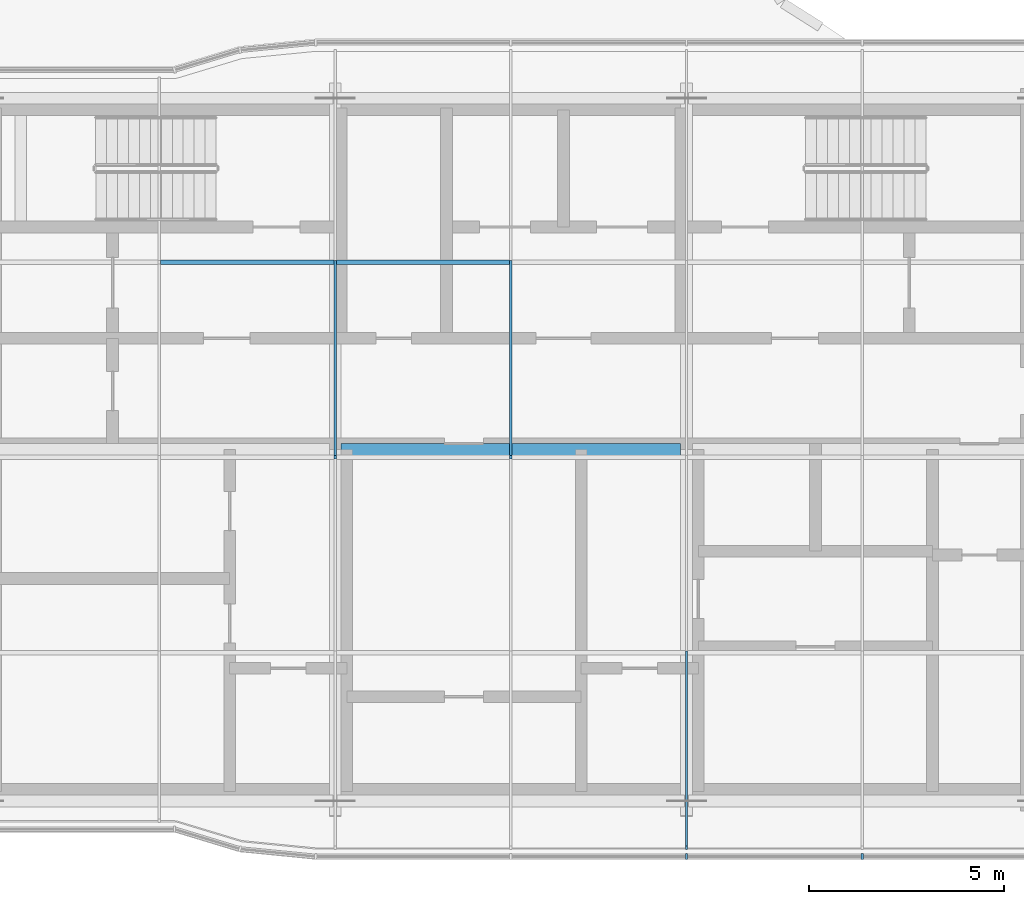
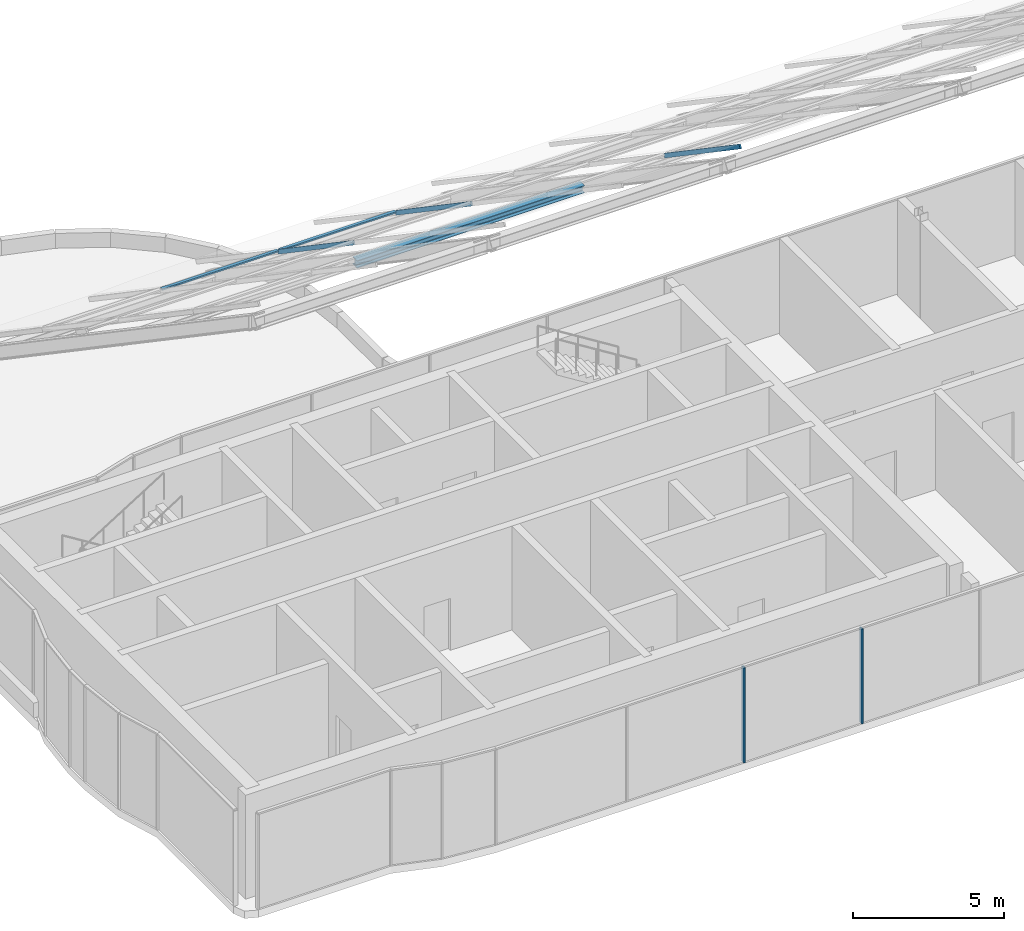
# One storey, part 4 of 25: 8 members, 3 elements without a shape of their own.
"""IFC4 building model written with IfcOpenShell, lengths in metres."""

import ifcopenshell
import ifcopenshell.guid

model = None  # the IFC model being written
_history = None  # IfcOwnerHistory: only IFC2X3 demands one
_inside = {}  # id of a spatial element -> (the spatial element, [elements in it])
_under = {}  # id of a project, library or spatial element -> (it, [spatial elements below it])
_declared = {}  # id of a project -> (the project, [libraries it declares])
_typed = {}  # id of a type object -> (the type object, [elements of that type])
_made_of = {}  # id of a material, layer set ... -> (it, [elements and type objects made of it])


def new_model(schema):
    """Start an empty IFC model of exactly this schema.

    Asked for "IFC4X3", IfcOpenShell would pick the latest addendum, in which some entities
    have other attributes; the version numbers below select the first issue.
    IFC2X3 requires an IfcOwnerHistory on every rooted entity: one is made here for all.
    """
    global model, _history
    if schema == "IFC4X3":
        model = ifcopenshell.file(schema_version=(4, 3, 0, 0))
    else:
        model = ifcopenshell.file(schema=schema)
    _inside.clear()
    _under.clear()
    _declared.clear()
    _typed.clear()
    _made_of.clear()
    _history = None
    if model.schema == "IFC2X3":
        org = make("IfcOrganization", Name="unknown")
        user = make(
            "IfcPersonAndOrganization",
            ThePerson=make("IfcPerson", FamilyName="unknown"),
            TheOrganization=org,
        )
        app = make(
            "IfcApplication",
            ApplicationDeveloper=org,
            Version="unknown",
            ApplicationFullName="unknown",
            ApplicationIdentifier="unknown",
        )
        _history = make(
            "IfcOwnerHistory",
            OwningUser=user,
            OwningApplication=app,
            ChangeAction="ADDED",
            CreationDate=0,
        )
    return model


def make(cls, **values):
    """One entity of the class cls with the attributes given. An attribute that is None is left unset."""
    return model.create_entity(
        cls, **{name: value for name, value in values.items() if value is not None}
    )


def rooted(cls, **values):
    """An entity with a GlobalId (a new one), such as an element, a storey or a relation."""
    return make(cls, GlobalId=ifcopenshell.guid.new(), OwnerHistory=_history, **values)


def si_unit(unit_type, name, prefix=None):
    """IfcSIUnit, for example si_unit("LENGTHUNIT", "METRE", prefix="MILLI")."""
    return make("IfcSIUnit", UnitType=unit_type, Prefix=prefix, Name=name)


def assignment(units):
    """IfcUnitAssignment: the units of a project."""
    return None if units is None else make("IfcUnitAssignment", Units=units)


def point(xyz):
    """IfcCartesianPoint."""
    return None if xyz is None else make("IfcCartesianPoint", Coordinates=xyz)


def direction(xyz):
    """IfcDirection."""
    return None if xyz is None else make("IfcDirection", DirectionRatios=xyz)


def frame(location, z_axis=None, x_axis=None):
    """IfcAxis2Placement3D, a coordinate frame: its origin and axes. An axis left out is left unset."""
    return make(
        "IfcAxis2Placement3D",
        Location=point(location),
        Axis=direction(z_axis),
        RefDirection=direction(x_axis),
    )


def frame_2d(location, x_axis=None):
    """IfcAxis2Placement2D, a coordinate frame in the plane: its origin and x axis."""
    return make(
        "IfcAxis2Placement2D", Location=point(location), RefDirection=direction(x_axis)
    )


def origin():
    """The frame at (0, 0, 0) with its axes left unset."""
    return frame((0.0, 0.0, 0.0))


def origin_2d():
    """The frame at (0, 0) in the plane with its x axis left unset."""
    return frame_2d((0.0, 0.0))


def place(relative_to, where):
    """IfcLocalPlacement: puts the frame where relative to a parent placement (None: the world)."""
    return make(
        "IfcLocalPlacement", PlacementRelTo=relative_to, RelativePlacement=where
    )


def context(
    kind, dimensions, precision=None, world=None, true_north=None, identifier=None
):
    """IfcGeometricRepresentationContext, for example the 3D "Model" context."""
    return make(
        "IfcGeometricRepresentationContext",
        ContextIdentifier=identifier,
        ContextType=kind,
        CoordinateSpaceDimension=dimensions,
        Precision=precision,
        WorldCoordinateSystem=world,
        TrueNorth=true_north,
    )


def subcontext(parent, identifier, kind, view, scale=None):
    """IfcGeometricRepresentationSubContext, for example "Body" below "Model"."""
    return make(
        "IfcGeometricRepresentationSubContext",
        ContextIdentifier=identifier,
        ContextType=kind,
        ParentContext=parent,
        TargetScale=scale,
        TargetView=view,
    )


def project(units=None, contexts=None):
    """IfcProject with its units and contexts."""
    return rooted(
        "IfcProject",
        Name="project",
        RepresentationContexts=contexts,
        UnitsInContext=assignment(units),
    )


def spatial(cls, under=None, at=None, **own):
    """A site, building, storey or space (cls), placed at a placement, below another one or the project."""
    s = rooted(cls, ObjectPlacement=at, **own)
    if under is not None:
        _under.setdefault(under.id(), (under, []))[1].append(s)
    return s


def profile(cls, at=None, kind="AREA", **sizes):
    """A parametric profile (cls). Its sizes go by their IFC names, for example OverallWidth=200.0."""
    return make(cls, ProfileType=kind, Position=at, **sizes)


def rectangle(**sizes):
    """IfcRectangleProfileDef."""
    return profile("IfcRectangleProfileDef", **sizes)


def i_section(**sizes):
    """IfcIShapeProfileDef."""
    return profile("IfcIShapeProfileDef", **sizes)


def extrude(swept, where, along, depth):
    """IfcExtrudedAreaSolid: the profile swept, set in the frame where, extruded along a direction by depth."""
    return make(
        "IfcExtrudedAreaSolid",
        SweptArea=swept,
        Position=where,
        ExtrudedDirection=direction(along),
        Depth=depth,
    )


def shape(context_of_items, identifier, shape_type, items):
    """IfcShapeRepresentation: the items that make up one representation, for example the "Body"."""
    return make(
        "IfcShapeRepresentation",
        ContextOfItems=context_of_items,
        RepresentationIdentifier=identifier,
        RepresentationType=shape_type,
        Items=items,
    )


def material(Name=None, Category=None):
    """IfcMaterial."""
    return make("IfcMaterial", Name=Name, Category=Category)


def material_profile(
    of_material, cross_section, Name=None, Category=None, Priority=None
):
    """IfcMaterialProfile: a cross section and its material."""
    return make(
        "IfcMaterialProfile",
        Name=Name,
        Material=of_material,
        Profile=cross_section,
        Priority=Priority,
        Category=Category,
    )


def profile_set(profiles, Name=None, composite=None):
    """IfcMaterialProfileSet."""
    return make(
        "IfcMaterialProfileSet",
        Name=Name,
        MaterialProfiles=profiles,
        CompositeProfile=composite,
    )


def made_of(thing, what):
    """Note that an element or type object is made of a material, layer set ...; save() writes the relation."""
    if what is not None:
        _made_of.setdefault(what.id(), (what, []))[1].append(thing)
    return thing


def type_object(cls, material=None, **own):
    """A type object (cls), such as IfcWallType, which elements share."""
    return made_of(rooted(cls, **own), material)


def element(
    cls,
    number,
    at=None,
    inside=None,
    cuts=None,
    type_object=None,
    material=None,
    context=None,
    identifier="Body",
    shape_type=None,
    held_by="IfcProductDefinitionShape",
    body=None,
    shapes=None,
    **own,
):
    """One element of the class cls, such as IfcWall. Its Tag is "e" and its number.

    at: its placement. inside: the storey or other place that contains it. cuts: it is an
    opening in that element (IfcRelVoidsElement). A single representation is given by context,
    identifier, shape_type and body (its items); several are given by shapes. held_by: the class
    of the entity that holds the representations. save() writes the other relations.
    """
    e = rooted(cls, Tag="e%d" % number, ObjectPlacement=at, **own)
    if body is not None:
        shapes = [shape(context, identifier, shape_type, body)]
    if shapes is not None:
        e.Representation = make(held_by, Representations=shapes)
    if inside is not None:
        _inside.setdefault(inside.id(), (inside, []))[1].append(e)
    if cuts is not None:
        rooted(
            "IfcRelVoidsElement", RelatingBuildingElement=cuts, RelatedOpeningElement=e
        )
    if type_object is not None:
        _typed.setdefault(type_object.id(), (type_object, []))[1].append(e)
    return made_of(e, material)


def aggregate(whole, parts):
    """IfcRelAggregates: a whole, such as a stair, and the parts it consists of."""
    return rooted("IfcRelAggregates", RelatingObject=whole, RelatedObjects=parts)


def save(model, path):
    """Write the relations noted so far, then the file.

    IfcRelAggregates (storeys below a building ...), IfcRelContainedInSpatialStructure (elements
    in a storey), IfcRelDefinesByType, IfcRelAssociatesMaterial and IfcRelDeclares: one each for
    every whole, place, type object, material and project.
    """
    for whole, parts in _under.values():
        aggregate(whole, parts)
    for where, things in _inside.values():
        rooted(
            "IfcRelContainedInSpatialStructure",
            RelatedElements=things,
            RelatingStructure=where,
        )
    for kind, things in _typed.values():
        rooted("IfcRelDefinesByType", RelatedObjects=things, RelatingType=kind)
    for what, things in _made_of.values():
        rooted("IfcRelAssociatesMaterial", RelatedObjects=things, RelatingMaterial=what)
    for by, libraries in _declared.values():
        rooted("IfcRelDeclares", RelatingContext=by, RelatedDefinitions=libraries)
    model.write(path)


model = new_model("IFC4")

# Units and contexts
model_context = context("Model", 3, precision=1e-05, world=origin(), true_north=direction((0.0, 1.0)))
body_context = subcontext(model_context, "Body", "Model", "MODEL_VIEW")
ifc_project = project(units=[si_unit("LENGTHUNIT", "METRE"), si_unit("AREAUNIT", "SQUARE_METRE"), si_unit("VOLUMEUNIT", "CUBIC_METRE"), si_unit("PLANEANGLEUNIT", "RADIAN"), si_unit("MASSUNIT", "GRAM", prefix="KILO")], contexts=[model_context])

# Site, building, storey
site_placement = place(None, origin())
site = spatial("IfcSite", under=ifc_project, at=site_placement, CompositionType="ELEMENT")
building_placement = place(site_placement, origin())
building = spatial("IfcBuilding", under=site, at=building_placement, Name="Ogive Portal Towers", CompositionType="ELEMENT")
storey_placement = place(building_placement, frame((0.0, 0.0, 272.89990234375)))
storey = spatial("IfcBuildingStorey", under=building, at=storey_placement, Name="L66", CompositionType="ELEMENT", Elevation=272.89990234375)

# Member
ifc_material_1 = material(Name="Steel S355", Category="steel")
ifc_material_profile_1 = material_profile(ifc_material_1, i_section(OverallWidth=0.300048828125, OverallDepth=0.300048828125, WebThickness=0.010986328125, FlangeThickness=0.01904296875, FilletRadius=0.027099609375, at=origin_2d()), Name="HEB 300")
ifc_profile_set_1 = profile_set([ifc_material_profile_1], Name="Steel S355")
member_type_1 = type_object("IfcMemberType", Name="CROWN PURLIN HEB 300", PredefinedType="PURLIN", material=ifc_profile_set_1)
member_1_placement = place(storey_placement, frame((40.64990234375, 30.5, 16.960205078125), z_axis=(1.0, 0.0, 0.0), x_axis=(0.0, 1.0, 0.0)))
element("IfcMember", 1, at=member_1_placement, inside=storey, type_object=member_type_1, Name="Crown purlin", PredefinedType="PURLIN", context=body_context, shape_type="SweptSolid", body=[
    extrude(i_section(OverallWidth=0.300048828125, OverallDepth=0.300048828125, WebThickness=0.010986328125, FlangeThickness=0.01904296875, FilletRadius=0.027099609375, at=origin_2d()), origin(), (0.0, 0.0, 1.0), 8.7001953125),
])

# Curtain wall, members
ifc_material_2 = material(Name="Glass, clear low-iron insulated glazing", Category="glass")
curtain_wall_type = type_object("IfcCurtainWallType", Name="CW CROWN GLAZING", PredefinedType="NOTDEFINED", material=ifc_material_2)
curtain_wall_1_placement = place(storey_placement, origin())
curtain_wall_1 = element("IfcCurtainWall", 2, at=curtain_wall_1_placement, inside=storey, type_object=curtain_wall_type, Name="A:L66:c06:cw", PredefinedType="NOTDEFINED")
ifc_material_3 = material(Name="Aluminium 6063 anodised", Category="aluminium")
ifc_material_profile_2 = material_profile(ifc_material_3, rectangle(XDim=0.159912109375, YDim=0.06005859375, at=origin_2d()), Name="AL 60x160")
ifc_profile_set_2 = profile_set([ifc_material_profile_2], Name="Aluminium 6063 anodised")
member_type_2 = type_object("IfcMemberType", Name="CW MULLION 60x160", PredefinedType="MULLION", material=ifc_profile_set_2)
member_2_placement = place(storey_placement, frame((49.5, 20.080078125, 0.0), z_axis=(0.0, 0.0, 1.0), x_axis=(0.0, 1.0, 0.0)))
member_2 = element("IfcMember", 3, at=member_2_placement, type_object=member_type_2, Name="mullion", PredefinedType="MULLION", context=body_context, shape_type="SweptSolid", body=[
    extrude(rectangle(XDim=0.159912109375, YDim=0.06005859375, at=origin_2d()), origin(), (0.0, 0.0, 1.0), 3.840087890625),
])
member_3_placement = place(storey_placement, frame((54.0, 20.080078125, 0.0), z_axis=(0.0, 0.0, 1.0), x_axis=(0.0, 1.0, 0.0)))
member_3 = element("IfcMember", 4, at=member_3_placement, type_object=member_type_2, Name="mullion", PredefinedType="MULLION", context=body_context, shape_type="SweptSolid", body=[
    extrude(rectangle(XDim=0.159912109375, YDim=0.06005859375, at=origin_2d()), origin(), (0.0, 0.0, 1.0), 3.840087890625),
])
aggregate(curtain_wall_1, [member_2, member_3])

# Curtain wall, member
curtain_wall_2_placement = place(storey_placement, origin())
curtain_wall_2 = element("IfcCurtainWall", 5, at=curtain_wall_2_placement, inside=storey, type_object=curtain_wall_type, Name="Crown roof glazing 1", PredefinedType="NOTDEFINED")
ifc_material_profile_3 = material_profile(ifc_material_3, rectangle(XDim=0.06005859375, YDim=0.159912109375, at=origin_2d()), Name="AL 60x160 rafter")
ifc_profile_set_3 = profile_set([ifc_material_profile_3], Name="Aluminium 6063 anodised")
member_type_3 = type_object("IfcMemberType", Name="CW ROOF RAFTER 60x160", PredefinedType="MULLION", material=ifc_profile_set_3)
member_4_placement = place(storey_placement, frame((40.5, 30.300048828125, 17.931640625), z_axis=(0.0, 0.82693401206, -0.562298977146), x_axis=(-1.0, 0.0, 0.0)))
member_4 = element("IfcMember", 6, at=member_4_placement, type_object=member_type_3, Name="roof rafter", PredefinedType="MULLION", context=body_context, shape_type="SweptSolid", body=[
    extrude(rectangle(XDim=0.06005859375, YDim=0.159912109375, at=origin_2d()), origin(), (0.0, 0.0, 1.0), 6.04638671875),
])

# Curtain wall, members
curtain_wall_3_placement = place(storey_placement, origin())
curtain_wall_3 = element("IfcCurtainWall", 7, at=curtain_wall_3_placement, inside=storey, type_object=curtain_wall_type, Name="Crown roof glazing 2", PredefinedType="NOTDEFINED")
member_5_placement = place(storey_placement, frame((45.0, 30.300048828125, 17.931640625), z_axis=(0.0, 0.82693401206, -0.562298977146), x_axis=(-1.0, 0.0, 0.0)))
member_5 = element("IfcMember", 8, at=member_5_placement, type_object=member_type_3, Name="roof rafter", PredefinedType="MULLION", context=body_context, shape_type="SweptSolid", body=[
    extrude(rectangle(XDim=0.06005859375, YDim=0.159912109375, at=origin_2d()), origin(), (0.0, 0.0, 1.0), 6.04638671875),
])
member_6_placement = place(storey_placement, frame((49.5, 20.300048828125, 24.731689453125), z_axis=(0.0, 0.826915237064, -0.562326587236), x_axis=(-1.0, 0.0, 0.0)))
member_6 = element("IfcMember", 9, at=member_6_placement, type_object=member_type_3, Name="roof rafter", PredefinedType="MULLION", context=body_context, shape_type="SweptSolid", body=[
    extrude(rectangle(XDim=0.06005859375, YDim=0.159912109375, at=origin_2d()), origin(), (0.0, 0.0, 1.0), 6.046630859375),
])

# Member
ifc_material_profile_4 = material_profile(ifc_material_3, rectangle(XDim=0.1201171875, YDim=0.06005859375, at=origin_2d()), Name="AL 120x60")
ifc_profile_set_4 = profile_set([ifc_material_profile_4], Name="Aluminium 6063 anodised")
member_type_4 = type_object("IfcMemberType", Name="CW TRANSOM 60x120", PredefinedType="USERDEFINED", material=ifc_profile_set_4)
member_7_placement = place(storey_placement, frame((36.030029296875, 35.300048828125, 14.592041015625), z_axis=(1.0, 0.0, 0.0), x_axis=(0.0, 1.0, 0.0)))
member_7 = element("IfcMember", 10, at=member_7_placement, type_object=member_type_4, Name="roof transom", ObjectType="TRANSOM", PredefinedType="USERDEFINED", context=body_context, shape_type="SweptSolid", body=[
    extrude(rectangle(XDim=0.1201171875, YDim=0.06005859375, at=origin_2d()), origin(), (0.0, 0.0, 1.0), 4.43994140625),
])

aggregate(curtain_wall_2, [member_4, member_7])

member_8_placement = place(storey_placement, frame((40.530029296875, 35.300048828125, 14.592041015625), z_axis=(1.0, 0.0, 0.0), x_axis=(0.0, 1.0, 0.0)))
member_8 = element("IfcMember", 11, at=member_8_placement, type_object=member_type_4, Name="roof transom", ObjectType="TRANSOM", PredefinedType="USERDEFINED", context=body_context, shape_type="SweptSolid", body=[
    extrude(rectangle(XDim=0.1201171875, YDim=0.06005859375, at=origin_2d()), origin(), (0.0, 0.0, 1.0), 4.43994140625),
])

aggregate(curtain_wall_3, [member_5, member_6, member_8])

save(model, "model.ifc")
